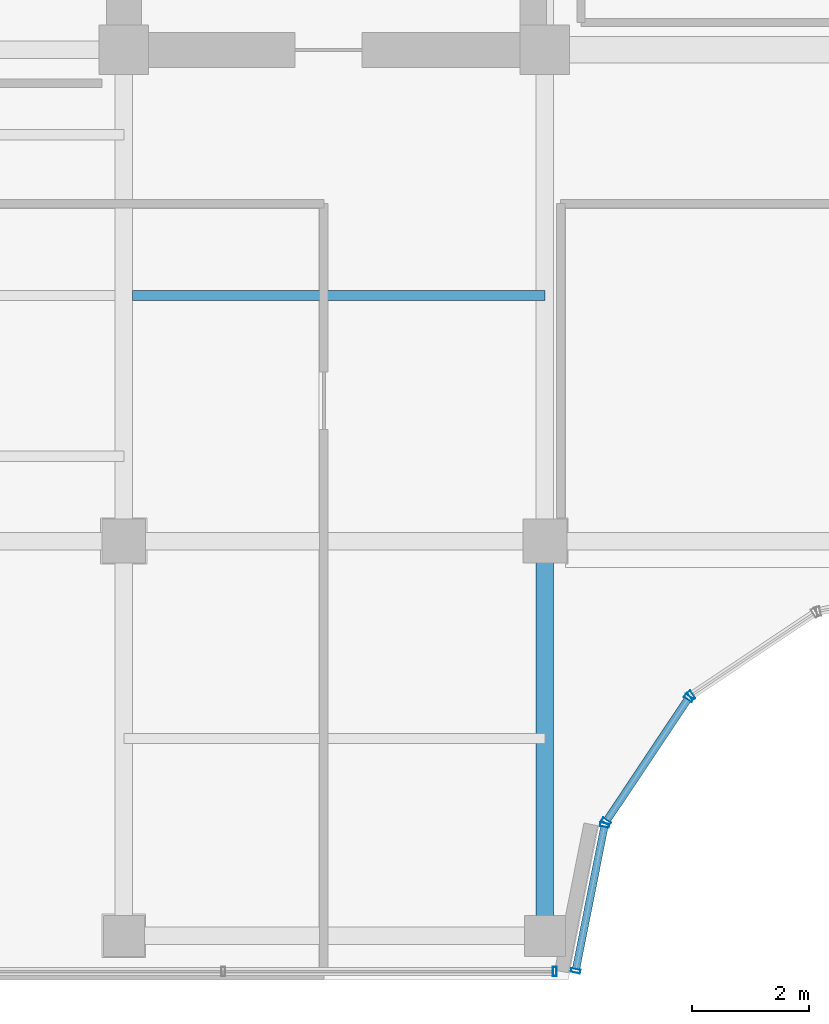
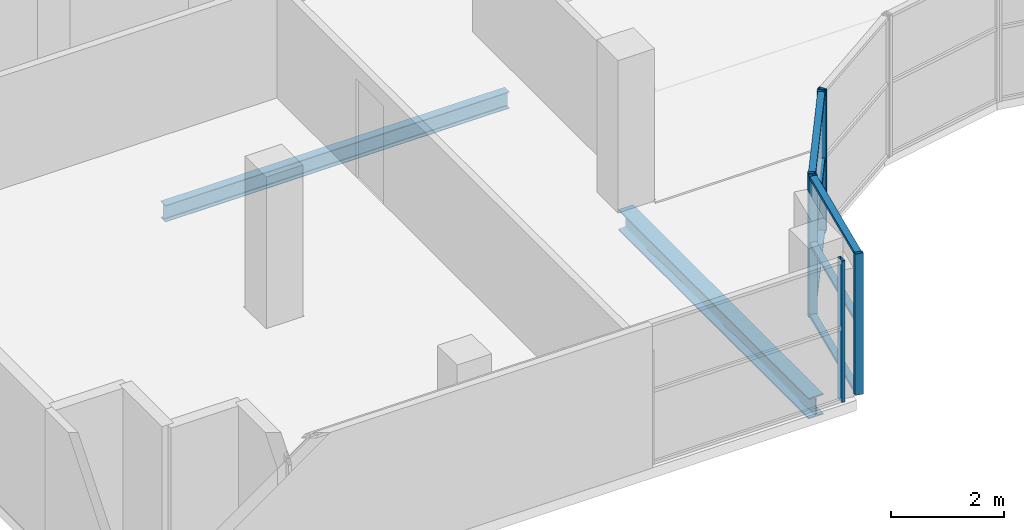
# One storey, part 5 of 28: 12 members, 2 beams, 4 elements without a shape of their own.
"""IFC4 building model written with IfcOpenShell, lengths in metres."""

from ifc_helpers import new_model, si_unit, direction, frame, origin, origin_2d, place, context, subcontext, project, spatial, hollow_rectangle, i_section, extrude, source, transform, mapped, material, layer, layer_set, material_profile, profile_set, type_object, element, aggregate, save


model = new_model("IFC4")

# Units and contexts
model_context = context("Model", 3, precision=1e-05, world=origin(), true_north=direction((0.0, 1.0)))
body_context = subcontext(model_context, "Body", "Model", "MODEL_VIEW")
ifc_project = project(units=[si_unit("LENGTHUNIT", "METRE"), si_unit("AREAUNIT", "SQUARE_METRE"), si_unit("VOLUMEUNIT", "CUBIC_METRE"), si_unit("PLANEANGLEUNIT", "RADIAN"), si_unit("MASSUNIT", "GRAM", prefix="KILO")], contexts=[model_context])

# Site, building, storey
site_placement = place(None, origin())
site = spatial("IfcSite", under=ifc_project, at=site_placement, CompositionType="ELEMENT")
building_placement = place(site_placement, origin())
building = spatial("IfcBuilding", under=site, at=building_placement, Name="Zarnakvel Exchange Tower", CompositionType="ELEMENT")
storey_placement = place(building_placement, frame((0.0, 0.0, 268.300048828125)))
storey = spatial("IfcBuildingStorey", under=building, at=storey_placement, Name="L76", CompositionType="ELEMENT", Elevation=268.300048828125)

# Beams
ifc_material_1 = material(Name="Steel S355", Category="steel")
ifc_material_profile_1 = material_profile(ifc_material_1, i_section(OverallWidth=0.169921875, OverallDepth=0.360107421875, WebThickness=0.008056640625, FlangeThickness=0.0126953125, FilletRadius=0.01806640625, at=origin_2d()))
ifc_profile_set_1 = profile_set([ifc_material_profile_1], Name="Steel S355")
beam_type_1 = type_object("IfcBeamType", Name="B-07", PredefinedType="JOIST", material=ifc_profile_set_1)
beam_1_placement = place(storey_placement, frame((-14.25, -5.39990234375, -0.405029296875), z_axis=(1.0, 0.0, 0.0), x_axis=(0.0, 1.0, 0.0)))
element("IfcBeam", 1, at=beam_1_placement, inside=storey, type_object=beam_type_1, Name="L76 Composite Floor Secondary Joist", PredefinedType="JOIST", context=body_context, shape_type="SweptSolid", body=[
    extrude(i_section(OverallWidth=0.169921875, OverallDepth=0.360107421875, WebThickness=0.008056640625, FlangeThickness=0.0126953125, FilletRadius=0.01806640625, at=origin_2d()), origin(), (0.0, 0.0, 1.0), 7.050048828125),
])
ifc_material_profile_2 = material_profile(ifc_material_1, i_section(OverallWidth=0.300048828125, OverallDepth=0.449951171875, WebThickness=0.013916015625, FlangeThickness=0.02587890625, FilletRadius=0.027099609375, at=origin_2d()))
ifc_profile_set_2 = profile_set([ifc_material_profile_2], Name="Steel S355")
beam_type_2 = type_object("IfcBeamType", Name="G-07", PredefinedType="BEAM", material=ifc_profile_set_2)
beam_2_placement = place(storey_placement, frame((-7.199951171875, -16.35009765625, -0.449951171875), z_axis=(0.0, 1.0, 0.0), x_axis=(-1.0, 0.0, 0.0)))
element("IfcBeam", 2, at=beam_2_placement, inside=storey, type_object=beam_type_2, Name="L76 Tower N-S Frame Beam", PredefinedType="BEAM", context=body_context, shape_type="SweptSolid", body=[
    extrude(i_section(OverallWidth=0.300048828125, OverallDepth=0.449951171875, WebThickness=0.013916015625, FlangeThickness=0.02587890625, FilletRadius=0.027099609375, at=origin_2d()), origin(), (0.0, 0.0, 1.0), 6.75),
])

# Curtain wall, members
ifc_material_2 = material(Name="Architectural Bronze Anodised Aluminium", Category="aluminium")
ifc_layer = layer(ifc_material_2, 0.159912109375)
ifc_layer_set = layer_set([ifc_layer], Name="Architectural Bronze Anodised Aluminium")
curtain_wall_type = type_object("IfcCurtainWallType", Name="CW-06", PredefinedType="NOTDEFINED", material=ifc_layer_set)
curtain_wall_1_placement = place(storey_placement, origin())
curtain_wall_1 = element("IfcCurtainWall", 3, at=curtain_wall_1_placement, inside=storey, type_object=curtain_wall_type, Name="L76 Curtain Wall CW-L76-NC1 (CW-06)", PredefinedType="NOTDEFINED")
ifc_material_profile_3 = material_profile(ifc_material_2, hollow_rectangle(XDim=0.1298828125, YDim=0.06494140625, WallThickness=0.00390625, at=origin_2d()))
ifc_profile_set_3 = profile_set([ifc_material_profile_3], Name="Architectural Bronze Anodised Aluminium")
member_type_1 = type_object("IfcMemberType", Name="CWT-06", PredefinedType="USERDEFINED", material=ifc_profile_set_3)
shared_shape_1 = source(origin(), body_context, "Body", "SweptSolid", [
    extrude(hollow_rectangle(XDim=0.1298828125, YDim=0.06494140625, WallThickness=0.00390625, at=origin_2d()), origin(), (0.0, 0.0, 1.0), 2.4765625),
])
member_1_placement = place(storey_placement, frame((-6.667236328125, -16.916259765625, 0.032470703125), z_axis=(0.195092299863, 0.980784886983, 0.0), x_axis=(-0.980784886983, 0.195092299863, 0.0)))
member_1 = element("IfcMember", 4, at=member_1_placement, type_object=member_type_1, Name="CW-06 transom 1.1", ObjectType="TRANSOM", PredefinedType="USERDEFINED", context=body_context, shape_type="MappedRepresentation", body=[
    mapped(shared_shape_1, transform((0.0, 0.0, 0.0), x_axis=(1.0, 0.0, 0.0), y_axis=(0.0, 1.0, 0.0), z_axis=(0.0, 0.0, 1.0), scale=1.0)),
])
member_2_placement = place(storey_placement, frame((-6.667236328125, -16.916259765625, 1.591064453125), z_axis=(0.195092299863, 0.980784886983, 0.0), x_axis=(-0.980784886983, 0.195092299863, 0.0)))
member_2 = element("IfcMember", 5, at=member_2_placement, type_object=member_type_1, Name="CW-06 transom 1.2", ObjectType="TRANSOM", PredefinedType="USERDEFINED", context=body_context, shape_type="MappedRepresentation", body=[
    mapped(shared_shape_1, transform((0.0, 0.0, 0.0), x_axis=(1.0, 0.0, 0.0), y_axis=(0.0, 1.0, 0.0), z_axis=(0.0, 0.0, 1.0), scale=1.0)),
])
member_3_placement = place(storey_placement, frame((-6.667236328125, -16.916259765625, 3.02734375), z_axis=(0.195092299863, 0.980784886983, 0.0), x_axis=(-0.980784886983, 0.195092299863, 0.0)))
member_3 = element("IfcMember", 6, at=member_3_placement, type_object=member_type_1, Name="CW-06 transom 1.3", ObjectType="TRANSOM", PredefinedType="USERDEFINED", context=body_context, shape_type="MappedRepresentation", body=[
    mapped(shared_shape_1, transform((0.0, 0.0, 0.0), x_axis=(1.0, 0.0, 0.0), y_axis=(0.0, 1.0, 0.0), z_axis=(0.0, 0.0, 1.0), scale=1.0)),
])

curtain_wall_2_placement = place(storey_placement, origin())
curtain_wall_2 = element("IfcCurtainWall", 7, at=curtain_wall_2_placement, inside=storey, type_object=curtain_wall_type, Name="L76 Curtain Wall CW-L76-NC2 (CW-06)", PredefinedType="NOTDEFINED")
member_4_placement = place(storey_placement, frame((-6.135498046875, -14.36962890625, 0.032470703125), z_axis=(0.555609854963, 0.831443136401, 0.0), x_axis=(-0.831443136401, 0.555609854963, 0.0)))
member_4 = element("IfcMember", 8, at=member_4_placement, type_object=member_type_1, Name="CW-06 transom 1.1", ObjectType="TRANSOM", PredefinedType="USERDEFINED", context=body_context, shape_type="MappedRepresentation", body=[
    mapped(shared_shape_1, transform((0.0, 0.0, 0.0), x_axis=(1.0, 0.0, 0.0), y_axis=(0.0, 1.0, 0.0), z_axis=(0.0, 0.0, 1.0), scale=1.0)),
])
member_5_placement = place(storey_placement, frame((-6.135498046875, -14.36962890625, 1.591064453125), z_axis=(0.555609854963, 0.831443136401, 0.0), x_axis=(-0.831443136401, 0.555609854963, 0.0)))
member_5 = element("IfcMember", 9, at=member_5_placement, type_object=member_type_1, Name="CW-06 transom 1.2", ObjectType="TRANSOM", PredefinedType="USERDEFINED", context=body_context, shape_type="MappedRepresentation", body=[
    mapped(shared_shape_1, transform((0.0, 0.0, 0.0), x_axis=(1.0, 0.0, 0.0), y_axis=(0.0, 1.0, 0.0), z_axis=(0.0, 0.0, 1.0), scale=1.0)),
])
member_6_placement = place(storey_placement, frame((-6.135498046875, -14.36962890625, 3.02734375), z_axis=(0.555609854963, 0.831443136401, 0.0), x_axis=(-0.831443136401, 0.555609854963, 0.0)))
member_6 = element("IfcMember", 10, at=member_6_placement, type_object=member_type_1, Name="CW-06 transom 1.3", ObjectType="TRANSOM", PredefinedType="USERDEFINED", context=body_context, shape_type="MappedRepresentation", body=[
    mapped(shared_shape_1, transform((0.0, 0.0, 0.0), x_axis=(1.0, 0.0, 0.0), y_axis=(0.0, 1.0, 0.0), z_axis=(0.0, 0.0, 1.0), scale=1.0)),
])

# Member
ifc_material_profile_4 = material_profile(ifc_material_2, hollow_rectangle(XDim=0.159912109375, YDim=0.06494140625, WallThickness=0.00390625, at=origin_2d()))
ifc_profile_set_4 = profile_set([ifc_material_profile_4], Name="Architectural Bronze Anodised Aluminium")
member_type_2 = type_object("IfcMemberType", Name="CWM-06", PredefinedType="MULLION", material=ifc_profile_set_4)
shared_shape_2 = source(origin(), body_context, "Body", "SweptSolid", [
    extrude(hollow_rectangle(XDim=0.159912109375, YDim=0.06494140625, WallThickness=0.00390625, at=origin_2d()), origin(), (0.0, 0.0, 1.0), 3.06005859375),
])
member_7_placement = place(storey_placement, frame((-6.673583984375, -16.9482421875, 0.0), z_axis=(0.0, 0.0, 1.0), x_axis=(-0.980785255264, 0.195090448398, 0.0)))
member_7 = element("IfcMember", 11, at=member_7_placement, type_object=member_type_2, Name="CW-06 mullion 1", PredefinedType="MULLION", context=body_context, shape_type="MappedRepresentation", body=[
    mapped(shared_shape_2, transform((0.0, 0.0, 0.0), x_axis=(1.0, 0.0, 0.0), y_axis=(0.0, 1.0, 0.0), z_axis=(0.0, 0.0, 1.0), scale=1.0)),
])

member_8_placement = place(storey_placement, frame((-6.177734375, -14.45556640625, 0.0), z_axis=(0.0, 0.0, 1.0), x_axis=(-0.980785255264, 0.195090448398, 0.0)))
member_8 = element("IfcMember", 12, at=member_8_placement, type_object=member_type_2, Name="CW-06 mullion 2", PredefinedType="MULLION", context=body_context, shape_type="MappedRepresentation", body=[
    mapped(shared_shape_2, transform((0.0, 0.0, 0.0), x_axis=(1.0, 0.0, 0.0), y_axis=(0.0, 1.0, 0.0), z_axis=(0.0, 0.0, 1.0), scale=1.0)),
])

aggregate(curtain_wall_1, [member_7, member_8, member_1, member_2, member_3])

member_9_placement = place(storey_placement, frame((-6.153564453125, -14.396728515625, 0.0), z_axis=(0.0, 0.0, 1.0), x_axis=(-0.831469612089, 0.555570233339, 0.0)))
member_9 = element("IfcMember", 13, at=member_9_placement, type_object=member_type_2, Name="CW-06 mullion 1", PredefinedType="MULLION", context=body_context, shape_type="MappedRepresentation", body=[
    mapped(shared_shape_2, transform((0.0, 0.0, 0.0), x_axis=(1.0, 0.0, 0.0), y_axis=(0.0, 1.0, 0.0), z_axis=(0.0, 0.0, 1.0), scale=1.0)),
])

member_10_placement = place(storey_placement, frame((-4.741455078125, -12.283447265625, 0.0), z_axis=(0.0, 0.0, 1.0), x_axis=(-0.831469612089, 0.555570233339, 0.0)))
member_10 = element("IfcMember", 14, at=member_10_placement, type_object=member_type_2, Name="CW-06 mullion 2", PredefinedType="MULLION", context=body_context, shape_type="MappedRepresentation", body=[
    mapped(shared_shape_2, transform((0.0, 0.0, 0.0), x_axis=(1.0, 0.0, 0.0), y_axis=(0.0, 1.0, 0.0), z_axis=(0.0, 0.0, 1.0), scale=1.0)),
])

aggregate(curtain_wall_2, [member_9, member_10, member_4, member_5, member_6])

# Curtain wall, member
curtain_wall_3_placement = place(storey_placement, origin())
curtain_wall_3 = element("IfcCurtainWall", 15, at=curtain_wall_3_placement, inside=storey, type_object=curtain_wall_type, Name="L76 Curtain Wall CW-L76-NC3 (CW-06)", PredefinedType="NOTDEFINED")
member_11_placement = place(storey_placement, frame((-4.696533203125, -12.238525390625, 0.0), z_axis=(0.0, 0.0, 1.0), x_axis=(-0.555570233339, 0.831469612089, 0.0)))
member_11 = element("IfcMember", 16, at=member_11_placement, type_object=member_type_2, Name="CW-06 mullion 1", PredefinedType="MULLION", context=body_context, shape_type="MappedRepresentation", body=[
    mapped(shared_shape_2, transform((0.0, 0.0, 0.0), x_axis=(1.0, 0.0, 0.0), y_axis=(0.0, 1.0, 0.0), z_axis=(0.0, 0.0, 1.0), scale=1.0)),
])
aggregate(curtain_wall_3, [member_11])

curtain_wall_4_placement = place(storey_placement, origin())
curtain_wall_4 = element("IfcCurtainWall", 17, at=curtain_wall_4_placement, inside=storey, type_object=curtain_wall_type, Name="L76 Curtain Wall CW-L76-NSW (CW-06)", PredefinedType="NOTDEFINED")
member_12_placement = place(storey_placement, frame((-7.032470703125, -16.9599609375, 0.0), z_axis=(0.0, 0.0, 1.0), x_axis=(0.0, 1.0, 0.0)))
member_12 = element("IfcMember", 18, at=member_12_placement, type_object=member_type_2, Name="CW-06 mullion 3", PredefinedType="MULLION", context=body_context, shape_type="MappedRepresentation", body=[
    mapped(shared_shape_2, transform((0.0, 0.0, 0.0), x_axis=(1.0, 0.0, 0.0), y_axis=(0.0, 1.0, 0.0), z_axis=(0.0, 0.0, 1.0), scale=1.0)),
])
aggregate(curtain_wall_4, [member_12])

save(model, "model.ifc")
